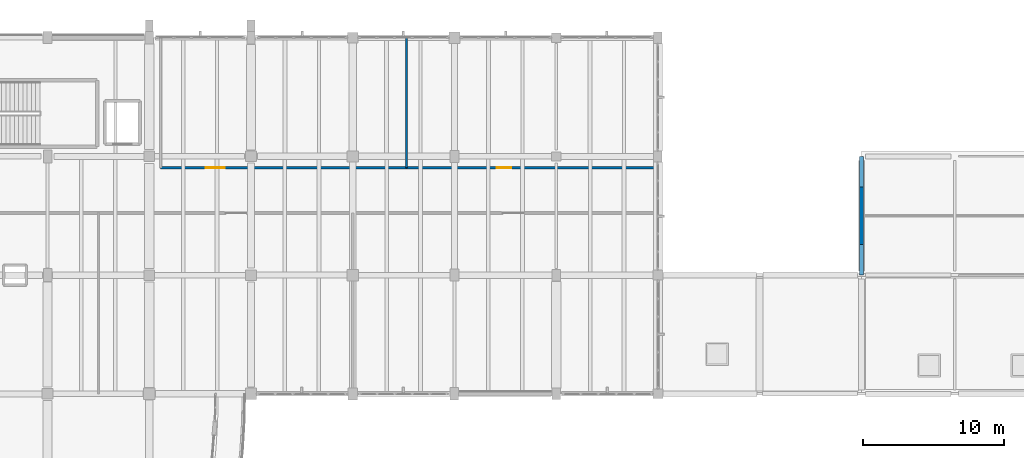
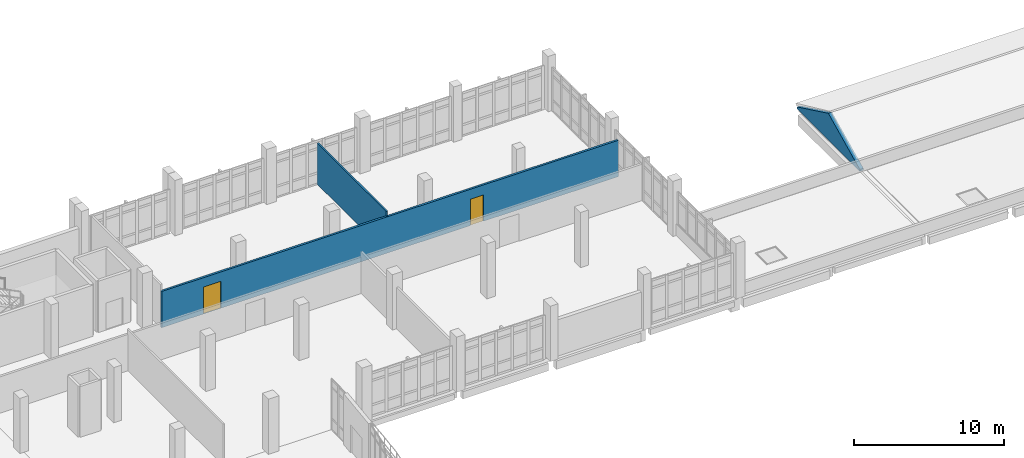
# One storey, part 112 of 124: 3 walls, 2 doors, 2 openings.
"""IFC4 building model written with IfcOpenShell, lengths in metres."""

from ifc_helpers import new_model, si_unit, direction, frame, frame_2d, origin, place, context, subcontext, project, spatial, polyline, rectangle, outline, extrude, material, layer, layer_set, type_object, element, fill, save


model = new_model("IFC4")

# Units and contexts
model_context = context("Model", 3, precision=1e-05, world=origin(), true_north=direction((0.0, 1.0)))
body_context = subcontext(model_context, "Body", "Model", "MODEL_VIEW")
ifc_project = project(units=[si_unit("LENGTHUNIT", "METRE"), si_unit("AREAUNIT", "SQUARE_METRE"), si_unit("VOLUMEUNIT", "CUBIC_METRE"), si_unit("PLANEANGLEUNIT", "RADIAN"), si_unit("MASSUNIT", "GRAM", prefix="KILO")], contexts=[model_context])

# Site, building, storey
site_placement = place(None, origin())
site = spatial("IfcSite", under=ifc_project, at=site_placement, CompositionType="ELEMENT")
building_placement = place(site_placement, origin())
building = spatial("IfcBuilding", under=site, at=building_placement, Name="Kalluvel Institute of Natural Sciences", CompositionType="ELEMENT")
storey_placement = place(building_placement, frame((0.0, 0.0, 9.89990234375)))
storey = spatial("IfcBuildingStorey", under=building, at=storey_placement, Name="L02", CompositionType="ELEMENT", Elevation=9.89990234375)

# Walls
ifc_material_1 = material(Name="Sadarahalli Grey Granite Ashlar Concrete M40", Category="masonry")
ifc_layer_1 = layer(ifc_material_1, 0.280029296875)
ifc_layer_set_1 = layer_set([ifc_layer_1], Name="Sadarahalli Grey Granite Ashlar Concrete M40")
wall_type_1 = type_object("IfcWallType", Name="WL-GABLE-280", PredefinedType="SOLIDWALL", material=ifc_layer_set_1)
wall_1_placement = place(storey_placement, frame((129.199951171875, 111.199951171875, 0.0), z_axis=(0.0, 0.0, 1.0), x_axis=(0.0, 1.0, 0.0)))
element("IfcWall", 1, at=wall_1_placement, inside=storey, type_object=wall_type_1, Name="L02 Cleanroom West Gothic gable wall", PredefinedType="SOLIDWALL", context=body_context, shape_type="SweptSolid", body=[
    extrude(outline(polyline([(0.0, 0.0), (8.400146484375, 0.0), (8.39990234375, 0.150146484375), (4.199951171875, 2.18017578125), (0.0, 0.150146484375), (0.0, 0.0)])), frame((0.0, 0.14013671875, 0.0), z_axis=(0.0, -1.0, 0.0), x_axis=(1.0, 0.0, 0.0)), (0.0, 0.0, 1.0), 0.280029296875),
])
ifc_material_2 = material(Name="Acoustic Gypsum Twin-Stud Partition", Category="gypsum")
ifc_layer_2 = layer(ifc_material_2, 0.1201171875)
ifc_layer_set_2 = layer_set([ifc_layer_2], Name="Acoustic Gypsum Twin-Stud Partition")
wall_type_2 = type_object("IfcWallType", Name="WL-PART-120", PredefinedType="PARTITIONING", material=ifc_layer_set_2)
wall_2_placement = place(storey_placement, frame((97.0, 118.800048828125, 0.0), z_axis=(0.0, 0.0, 1.0), x_axis=(0.0, 1.0, 0.0)))
element("IfcWall", 2, at=wall_2_placement, inside=storey, type_object=wall_type_2, Name="L02 interior partition wall WL-INT-L02-0146", PredefinedType="PARTITIONING", context=body_context, shape_type="SweptSolid", body=[
    extrude(rectangle(XDim=9.199951171875, YDim=0.1201171875, at=frame_2d((4.60009765625, 0.0))), origin(), (0.0, 0.0, 1.0), 3.360107421875),
])

# Wall, openings, doors
ifc_material_3 = material(Name="Autoclaved Aerated Concrete Masonry Block", Category="masonry")
ifc_layer_3 = layer(ifc_material_3, 0.159912109375)
ifc_layer_set_3 = layer_set([ifc_layer_3], Name="Autoclaved Aerated Concrete Masonry Block")
wall_type_3 = type_object("IfcWallType", Name="WL-PART-160", PredefinedType="PARTITIONING", material=ifc_layer_set_3)
wall_3_placement = place(storey_placement, frame((79.60009765625, 118.800048828125, 0.0), z_axis=(0.0, 0.0, 1.0), x_axis=(1.0, 0.0, 0.0)))
wall_3 = element("IfcWall", 3, at=wall_3_placement, inside=storey, type_object=wall_type_3, Name="L02 interior partition wall WL-INT-L02-0144", PredefinedType="PARTITIONING", context=body_context, shape_type="SweptSolid", body=[
    extrude(rectangle(XDim=35.199951171875, YDim=0.159912109375, at=frame_2d((17.60009765625, 0.0))), origin(), (0.0, 0.0, 1.0), 2.960205078125),
])
opening_1_placement = place(wall_3_placement, frame((3.199951171875, 0.0, 0.0)))
opening_1 = element("IfcOpeningElement", 4, at=opening_1_placement, cuts=wall_3, Name="Opening D-128", PredefinedType="OPENING", context=body_context, shape_type="SweptSolid", body=[
    extrude(rectangle(XDim=1.35009765625, YDim=2.199951171875, at=frame_2d((0.675048828125, 1.10009765625))), frame((0.0, 0.08984375, 0.0), z_axis=(0.0, -1.0, 0.0), x_axis=(1.0, 0.0, 0.0)), (0.0, 0.0, 1.0), 0.179931640625),
])
opening_2_placement = place(wall_3_placement, frame((23.800048828125, 0.0, 0.0)))
opening_2 = element("IfcOpeningElement", 5, at=opening_2_placement, cuts=wall_3, Name="Opening D-129", PredefinedType="OPENING", context=body_context, shape_type="SweptSolid", body=[
    extrude(rectangle(XDim=1.0, YDim=2.14990234375, at=frame_2d((0.5, 1.074951171875))), frame((0.0, 0.08984375, 0.0), z_axis=(0.0, -1.0, 0.0), x_axis=(1.0, 0.0, 0.0)), (0.0, 0.0, 1.0), 0.179931640625),
])
ifc_material_4 = material(Name="Engineered Hardwood Acoustic Leaf", Category="wood")
door_type_1 = type_object("IfcDoorType", Name="DR-INT-1000", OperationType="NOTDEFINED", PredefinedType="DOOR", material=ifc_material_4)
door_1_placement = place(opening_2_placement, origin())
door_1 = element("IfcDoor", 6, at=door_1_placement, inside=storey, type_object=door_type_1, Name="L02 NE2 door D-129", OperationType="SINGLE_SWING_RIGHT", OverallHeight=2.14990234375, OverallWidth=1.0, PredefinedType="DOOR", context=body_context, shape_type="SweptSolid", body=[
    extrude(rectangle(XDim=1.0, YDim=2.14990234375, at=frame_2d((0.5, 1.074951171875))), frame((0.0, 0.02490234375, 0.0), z_axis=(0.0, -1.0, 0.0), x_axis=(1.0, 0.0, 0.0)), (0.0, 0.0, 1.0), 0.050048828125),
])
fill(opening_2, door_1)
ifc_material_5 = material(Name="Aluminium AW-6063 T6", Category="aluminium")
door_type_2 = type_object("IfcDoorType", Name="DR-INT-1350", OperationType="NOTDEFINED", PredefinedType="DOOR", material=ifc_material_5)
door_2_placement = place(opening_1_placement, origin())
door_2 = element("IfcDoor", 7, at=door_2_placement, inside=storey, type_object=door_type_2, Name="L02 NE1 door D-128", OperationType="SINGLE_SWING_LEFT", OverallHeight=2.199951171875, OverallWidth=1.35009765625, PredefinedType="DOOR", context=body_context, shape_type="SweptSolid", body=[
    extrude(rectangle(XDim=1.35009765625, YDim=2.199951171875, at=frame_2d((0.675048828125, 1.10009765625))), frame((0.0, 0.02490234375, 0.0), z_axis=(0.0, -1.0, 0.0), x_axis=(1.0, 0.0, 0.0)), (0.0, 0.0, 1.0), 0.050048828125),
])
fill(opening_1, door_2)

save(model, "model.ifc")
